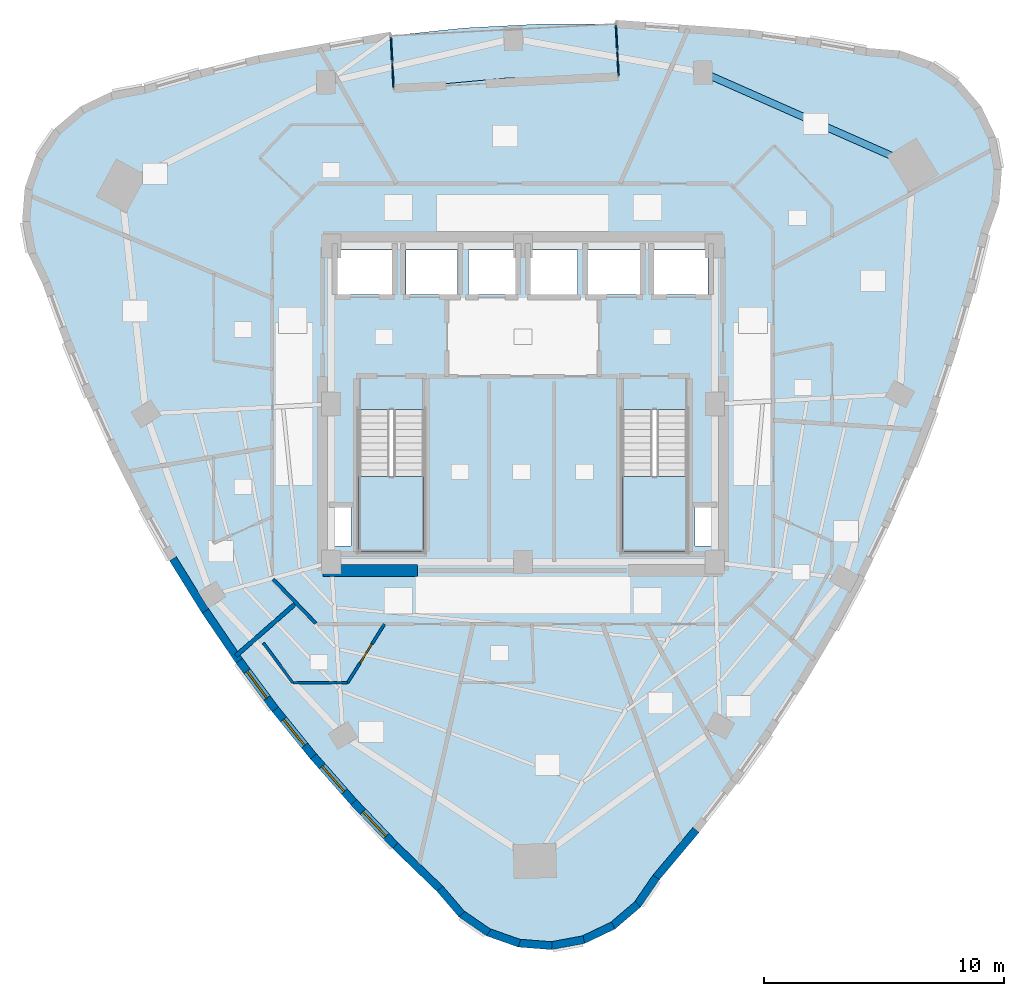
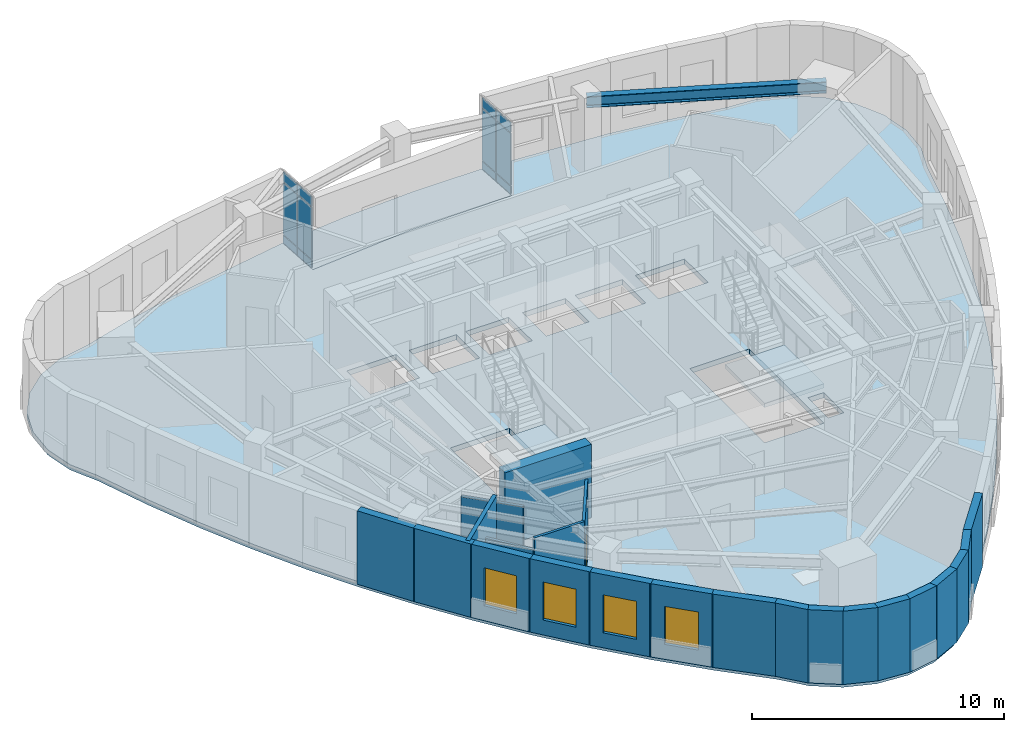
# One storey, part 4 of 11: 22 walls, 12 plates, 4 slabs, 4 windows, 1 beam, 1 door, 5 openings, 4 elements without a shape of their own.
"""IFC4 building model written with IfcOpenShell, lengths in metres."""

from ifc_helpers import new_model, si_unit, direction, frame, frame_2d, origin, origin_2d, place, context, subcontext, project, spatial, polyline, rectangle, i_section, outline, extrude, material, layer, layer_set, material_profile, profile_set, type_object, element, fill, aggregate, save


model = new_model("IFC4")

# Units and contexts
model_context = context("Model", 3, precision=1e-05, world=origin(), true_north=direction((0.0, 1.0)))
body_context = subcontext(model_context, "Body", "Model", "MODEL_VIEW")
ifc_project = project(units=[si_unit("LENGTHUNIT", "METRE"), si_unit("AREAUNIT", "SQUARE_METRE"), si_unit("VOLUMEUNIT", "CUBIC_METRE"), si_unit("PLANEANGLEUNIT", "RADIAN"), si_unit("MASSUNIT", "GRAM", prefix="KILO")], contexts=[model_context])

# Site, building, storey
site_placement = place(None, origin())
site = spatial("IfcSite", under=ifc_project, at=site_placement, CompositionType="ELEMENT")
building_placement = place(site_placement, origin())
building = spatial("IfcBuilding", under=site, at=building_placement, Name="Ndelora Gate Hotel", CompositionType="ELEMENT")
storey_placement = place(building_placement, frame((0.0, 0.0, 216.949951171875)))
storey = spatial("IfcBuildingStorey", under=building, at=storey_placement, Name="L54", CompositionType="ELEMENT", Elevation=216.949951171875)

# Beam
ifc_material_1 = material(Name="Steel S355", Category="steel")
ifc_material_profile = material_profile(ifc_material_1, i_section(OverallWidth=0.300048828125, OverallDepth=0.550048828125, WebThickness=0.014892578125, FlangeThickness=0.029052734375, FilletRadius=0.027099609375, at=origin_2d()), Name="HEB 550")
ifc_profile_set = profile_set([ifc_material_profile], Name="Steel S355")
beam_type = type_object("IfcBeamType", Name="BM-RING-550", PredefinedType="SPANDREL", material=ifc_profile_set)
beam_placement = place(storey_placement, frame((16.26025390625, 9.96435546875, 3.275146484375), z_axis=(-0.914807449647, 0.403890245078, 0.0), x_axis=(-0.403890245078, -0.914807449647, 0.0)))
element("IfcBeam", 1, at=beam_placement, inside=storey, type_object=beam_type, Name="L54 Perimeter Spandrel Girder 9", PredefinedType="SPANDREL", context=body_context, shape_type="SweptSolid", body=[
    extrude(i_section(OverallWidth=0.300048828125, OverallDepth=0.550048828125, WebThickness=0.014892578125, FlangeThickness=0.029052734375, FilletRadius=0.027099609375, at=origin_2d()), origin(), (0.0, 0.0, 1.0), 9.56689453125),
])

# Curtain wall, plates
ifc_material_2 = material(Name="Bronze Anodised Unitised Aluminium and Low-E Glass", Category="aluminium")
ifc_layer_1 = layer(ifc_material_2, 0.199951171875)
ifc_layer_set_1 = layer_set([ifc_layer_1], Name="Bronze Anodised Unitised Aluminium and Low-E Glass")
curtain_wall_type = type_object("IfcCurtainWallType", Name="CW-SYS-3", PredefinedType="NOTDEFINED", material=ifc_layer_set_1)
curtain_wall_1_placement = place(storey_placement, origin())
curtain_wall_1 = element("IfcCurtainWall", 2, at=curtain_wall_1_placement, inside=storey, type_object=curtain_wall_type, Name="L54 Sky-Garden Loggia Side Curtain Wall CW3-1", PredefinedType="NOTDEFINED")
ifc_material_3 = material(Name="Solar-Control Low-E Insulated Glazing", Category="glass")
ifc_layer_2 = layer(ifc_material_3, 0.048095703125)
ifc_layer_set_2 = layer_set([ifc_layer_2], Name="Solar-Control Low-E Insulated Glazing")
plate_type = type_object("IfcPlateType", Name="PL-CW-GLZ36", PredefinedType="CURTAIN_PANEL", material=ifc_layer_set_2)
plate_1_placement = place(storey_placement, frame((3.961181640625, 14.222900390625, 0.05908203125), z_axis=(0.0, 0.0, 1.0), x_axis=(-0.052317873695, 0.998630482257, 0.0)))
plate_1 = element("IfcPlate", 3, at=plate_1_placement, type_object=plate_type, Name="CW3 panel 1.1", PredefinedType="CURTAIN_PANEL", context=body_context, shape_type="SweptSolid", body=[
    extrude(rectangle(XDim=1.014404296875, YDim=0.048095703125, at=origin_2d()), origin(), (0.0, 0.0, 1.0), 0.364501953125),
])
plate_2_placement = place(storey_placement, frame((3.961181640625, 14.222900390625, 0.4765625), z_axis=(0.0, 0.0, 1.0), x_axis=(-0.052317873695, 0.998630482257, 0.0)))
plate_2 = element("IfcPlate", 4, at=plate_2_placement, type_object=plate_type, Name="CW3 panel 1.2", PredefinedType="CURTAIN_PANEL", context=body_context, shape_type="SweptSolid", body=[
    extrude(rectangle(XDim=1.014404296875, YDim=0.048095703125, at=origin_2d()), origin(), (0.0, 0.0, 1.0), 2.4970703125),
])
plate_3_placement = place(storey_placement, frame((3.961181640625, 14.222900390625, 3.0263671875), z_axis=(0.0, 0.0, 1.0), x_axis=(-0.052317873695, 0.998630482257, 0.0)))
plate_3 = element("IfcPlate", 5, at=plate_3_placement, type_object=plate_type, Name="CW3 panel 1.3", PredefinedType="CURTAIN_PANEL", context=body_context, shape_type="SweptSolid", body=[
    extrude(rectangle(XDim=1.014404296875, YDim=0.048095703125, at=origin_2d()), origin(), (0.0, 0.0, 1.0), 0.464599609375),
])
plate_4_placement = place(storey_placement, frame((3.9052734375, 15.2890625, 0.05908203125), z_axis=(0.0, 0.0, 1.0), x_axis=(-0.052317873695, 0.998630482257, 0.0)))
plate_4 = element("IfcPlate", 6, at=plate_4_placement, type_object=plate_type, Name="CW3 panel 2.1", PredefinedType="CURTAIN_PANEL", context=body_context, shape_type="SweptSolid", body=[
    extrude(rectangle(XDim=1.014404296875, YDim=0.048095703125, at=origin_2d()), origin(), (0.0, 0.0, 1.0), 0.364501953125),
])
plate_5_placement = place(storey_placement, frame((3.9052734375, 15.2890625, 0.4765625), z_axis=(0.0, 0.0, 1.0), x_axis=(-0.052317873695, 0.998630482257, 0.0)))
plate_5 = element("IfcPlate", 7, at=plate_5_placement, type_object=plate_type, Name="CW3 panel 2.2", PredefinedType="CURTAIN_PANEL", context=body_context, shape_type="SweptSolid", body=[
    extrude(rectangle(XDim=1.014404296875, YDim=0.048095703125, at=origin_2d()), origin(), (0.0, 0.0, 1.0), 2.4970703125),
])
plate_6_placement = place(storey_placement, frame((3.9052734375, 15.2890625, 3.0263671875), z_axis=(0.0, 0.0, 1.0), x_axis=(-0.052317873695, 0.998630482257, 0.0)))
plate_6 = element("IfcPlate", 8, at=plate_6_placement, type_object=plate_type, Name="CW3 panel 2.3", PredefinedType="CURTAIN_PANEL", context=body_context, shape_type="SweptSolid", body=[
    extrude(rectangle(XDim=1.014404296875, YDim=0.048095703125, at=origin_2d()), origin(), (0.0, 0.0, 1.0), 0.464599609375),
])
aggregate(curtain_wall_1, [plate_1, plate_2, plate_3, plate_4, plate_5, plate_6])

curtain_wall_2_placement = place(storey_placement, origin())
curtain_wall_2 = element("IfcCurtainWall", 9, at=curtain_wall_2_placement, inside=storey, type_object=curtain_wall_type, Name="L54 Sky-Garden Loggia Side Curtain Wall CW3-2", PredefinedType="NOTDEFINED")
plate_7_placement = place(storey_placement, frame((-5.48193359375, 14.797119140625, 0.05908203125), z_axis=(0.0, 0.0, 1.0), x_axis=(0.052363203389, -0.998628106419, 0.0)))
plate_7 = element("IfcPlate", 10, at=plate_7_placement, type_object=plate_type, Name="CW3 panel 1.1", PredefinedType="CURTAIN_PANEL", context=body_context, shape_type="SweptSolid", body=[
    extrude(rectangle(XDim=1.014404296875, YDim=0.048095703125, at=origin_2d()), origin(), (0.0, 0.0, 1.0), 0.364501953125),
])
plate_8_placement = place(storey_placement, frame((-5.48193359375, 14.797119140625, 0.4765625), z_axis=(0.0, 0.0, 1.0), x_axis=(0.052363203389, -0.998628106419, 0.0)))
plate_8 = element("IfcPlate", 11, at=plate_8_placement, type_object=plate_type, Name="CW3 panel 1.2", PredefinedType="CURTAIN_PANEL", context=body_context, shape_type="SweptSolid", body=[
    extrude(rectangle(XDim=1.014404296875, YDim=0.048095703125, at=origin_2d()), origin(), (0.0, 0.0, 1.0), 2.4970703125),
])
plate_9_placement = place(storey_placement, frame((-5.48193359375, 14.797119140625, 3.0263671875), z_axis=(0.0, 0.0, 1.0), x_axis=(0.052363203389, -0.998628106419, 0.0)))
plate_9 = element("IfcPlate", 12, at=plate_9_placement, type_object=plate_type, Name="CW3 panel 1.3", PredefinedType="CURTAIN_PANEL", context=body_context, shape_type="SweptSolid", body=[
    extrude(rectangle(XDim=1.014404296875, YDim=0.048095703125, at=origin_2d()), origin(), (0.0, 0.0, 1.0), 0.464599609375),
])
plate_10_placement = place(storey_placement, frame((-5.426025390625, 13.73095703125, 0.05908203125), z_axis=(0.0, 0.0, 1.0), x_axis=(0.052363203389, -0.998628106419, 0.0)))
plate_10 = element("IfcPlate", 13, at=plate_10_placement, type_object=plate_type, Name="CW3 panel 2.1", PredefinedType="CURTAIN_PANEL", context=body_context, shape_type="SweptSolid", body=[
    extrude(rectangle(XDim=1.014404296875, YDim=0.048095703125, at=origin_2d()), origin(), (0.0, 0.0, 1.0), 0.364501953125),
])
plate_11_placement = place(storey_placement, frame((-5.426025390625, 13.73095703125, 0.4765625), z_axis=(0.0, 0.0, 1.0), x_axis=(0.052363203389, -0.998628106419, 0.0)))
plate_11 = element("IfcPlate", 14, at=plate_11_placement, type_object=plate_type, Name="CW3 panel 2.2", PredefinedType="CURTAIN_PANEL", context=body_context, shape_type="SweptSolid", body=[
    extrude(rectangle(XDim=1.014404296875, YDim=0.048095703125, at=origin_2d()), origin(), (0.0, 0.0, 1.0), 2.4970703125),
])
plate_12_placement = place(storey_placement, frame((-5.426025390625, 13.73095703125, 3.0263671875), z_axis=(0.0, 0.0, 1.0), x_axis=(0.052363203389, -0.998628106419, 0.0)))
plate_12 = element("IfcPlate", 15, at=plate_12_placement, type_object=plate_type, Name="CW3 panel 2.3", PredefinedType="CURTAIN_PANEL", context=body_context, shape_type="SweptSolid", body=[
    extrude(rectangle(XDim=1.014404296875, YDim=0.048095703125, at=origin_2d()), origin(), (0.0, 0.0, 1.0), 0.464599609375),
])
aggregate(curtain_wall_2, [plate_7, plate_8, plate_9, plate_10, plate_11, plate_12])

# Stair, slab
ifc_material_4 = material(Name="Precast concrete C40/50", Category="concrete")
stair_type = type_object("IfcStairType", Name="STR-DOG-CORE", PredefinedType="HALF_TURN_STAIR", material=ifc_material_4)
stair_1_placement = place(storey_placement, origin())
stair_1 = element("IfcStair", 16, at=stair_1_placement, inside=storey, type_object=stair_type, Name="L54 Protected Core Exit Stair ST4", PredefinedType="HALF_TURN_STAIR")
ifc_layer_3 = layer(ifc_material_4, 0.219970703125)
ifc_layer_set_3 = layer_set([ifc_layer_3], Name="Precast concrete C40/50")
slab_type_1 = type_object("IfcSlabType", Name="SL-LAND-220", PredefinedType="LANDING", material=ifc_layer_set_3)
slab_1_placement = place(storey_placement, frame((0.0, 0.0, 1.699951171875)))
slab_1 = element("IfcSlab", 17, at=slab_1_placement, type_object=slab_type_1, Name="ST4 landing 1", PredefinedType="LANDING", context=body_context, shape_type="SweptSolid", body=[
    extrude(outline(polyline([(-6.85009765625, -3.030029296875), (-6.85009765625, -6.14990234375), (-4.1298828125, -6.14990234375), (-4.1298828125, -3.030029296875), (-6.85009765625, -3.030029296875)])), origin(), (0.0, 0.0, 1.0), 0.2001953125),
])
aggregate(stair_1, [slab_1])

stair_2_placement = place(storey_placement, origin())
stair_2 = element("IfcStair", 18, at=stair_2_placement, inside=storey, type_object=stair_type, Name="L54 Protected Core Exit Stair ST5", PredefinedType="HALF_TURN_STAIR")
slab_2_placement = place(storey_placement, frame((0.0, 0.0, 1.699951171875)))
slab_2 = element("IfcSlab", 19, at=slab_2_placement, type_object=slab_type_1, Name="ST5 landing 1", PredefinedType="LANDING", context=body_context, shape_type="SweptSolid", body=[
    extrude(outline(polyline([(4.1298828125, -3.030029296875), (4.1298828125, -6.14990234375), (6.85009765625, -6.14990234375), (6.85009765625, -3.030029296875), (4.1298828125, -3.030029296875)])), origin(), (0.0, 0.0, 1.0), 0.2001953125),
])
aggregate(stair_2, [slab_2])

# Slabs
ifc_layer_4 = layer(ifc_material_4, 0.239990234375)
ifc_layer_set_4 = layer_set([ifc_layer_4], Name="Precast concrete C40/50")
slab_type_2 = type_object("IfcSlabType", Name="SL-TER-240", PredefinedType="FLOOR", material=ifc_layer_set_4)
slab_3_placement = place(storey_placement, frame((0.0, 0.0, -0.239990234375)))
element("IfcSlab", 20, at=slab_3_placement, inside=storey, type_object=slab_type_2, Name="L54 Sky Garden Loggia Terrace Slab", PredefinedType="FLOOR", context=body_context, shape_type="SweptSolid", body=[
    extrude(outline(polyline([(3.99072265625, 13.657470703125), (3.87548828125, 15.8544921875), (0.769287109375, 15.854736328125), (-2.42236328125, 15.6875), (-5.51171875, 15.362548828125), (-5.396484375, 13.16552734375), (-0.71240234375, 13.595458984375), (3.99072265625, 13.657470703125)])), origin(), (0.0, 0.0, 1.0), 0.239990234375),
])
ifc_material_5 = material(Name="Concrete C40/50", Category="concrete")
ifc_layer_5 = layer(ifc_material_5, 0.25)
ifc_layer_set_5 = layer_set([ifc_layer_5], Name="Concrete C40/50")
slab_type_3 = type_object("IfcSlabType", Name="SL-TWR-250", PredefinedType="FLOOR", material=ifc_layer_set_5)
slab_4_placement = place(storey_placement, frame((0.0, 0.0, -0.25)))
element("IfcSlab", 21, at=slab_4_placement, inside=storey, type_object=slab_type_3, Name="L54 Structural Floor Slab", PredefinedType="FLOOR", context=body_context, shape_type="SweptSolid", body=[
    extrude(outline(polyline([(-15.80078125, 13.10498046875), (-17.135498046875, 12.85791015625), (-18.36083984375, 12.2734375), (-19.39306640625, 11.391845703125), (-20.161865234375, 10.27294921875), (-20.614990234375, 8.993408203125), (-20.7216796875, 7.64013671875), (-20.47412109375, 6.305419921875), (-19.889892578125, 5.080078125), (-19.006591796875, 2.654296875), (-18.034912109375, 0.285888671875), (-16.974609375, -2.025146484375), (-15.825927734375, -4.278564453125), (-14.588623046875, -6.474609375), (-13.262939453125, -8.613037109375), (-11.848388671875, -10.694091796875), (-10.345703125, -12.717529296875), (-8.75439453125, -14.68359375), (-7.074462890625, -16.592041015625), (-5.305908203125, -18.443115234375), (-3.448974609375, -20.236572265625), (-2.5673828125, -21.268798828125), (-1.448486328125, -22.03759765625), (-0.1689453125, -22.49072265625), (1.184326171875, -22.597412109375), (2.51904296875, -22.349853515625), (3.744140625, -21.765380859375), (4.776611328125, -20.8837890625), (5.54541015625, -19.76513671875), (7.20458984375, -17.787353515625), (8.77001953125, -15.76171875), (10.2412109375, -13.68798828125), (11.618408203125, -11.56640625), (12.9013671875, -9.39697265625), (14.090576171875, -7.179443359375), (15.185546875, -4.9140625), (16.1865234375, -2.600830078125), (17.093505859375, -0.23974609375), (17.90625, 2.16943359375), (18.625, 4.62646484375), (19.249755859375, 7.13134765625), (19.702880859375, 8.410888671875), (19.8095703125, 9.764404296875), (19.56201171875, 11.09912109375), (18.977783203125, 12.32421875), (18.09619140625, 13.3564453125), (16.977294921875, 14.12548828125), (15.69775390625, 14.57861328125), (14.344482421875, 14.68505859375), (11.903564453125, 15.1171875), (9.4677734375, 15.452392578125), (3.87548828125, 15.8544921875), (3.99072265625, 13.657470703125), (-0.71240234375, 13.595458984375), (-5.396484375, 13.16552734375), (-5.51171875, 15.362548828125), (-11.031005859375, 14.3779296875), (-13.41845703125, 13.7900390625), (-15.80078125, 13.10498046875)]), holes=[polyline([(-6.85009765625, -0.22998046875), (-6.85009765625, -6.14990234375), (-4.1298828125, -6.14990234375), (-4.1298828125, -0.22998046875), (-6.85009765625, -0.22998046875)]), polyline([(4.1298828125, -0.22998046875), (4.1298828125, -6.14990234375), (6.85009765625, -6.14990234375), (6.85009765625, -0.22998046875), (4.1298828125, -0.22998046875)]), polyline([(-7.72998046875, 4.570068359375), (-5.469970703125, 4.570068359375), (-5.469970703125, 6.429931640625), (-7.72998046875, 6.429931640625), (-7.72998046875, 4.570068359375)]), polyline([(5.469970703125, 4.570068359375), (7.72998046875, 4.570068359375), (7.72998046875, 6.429931640625), (5.469970703125, 6.429931640625), (5.469970703125, 4.570068359375)]), polyline([(-4.8798828125, 4.570068359375), (-2.719970703125, 4.570068359375), (-2.719970703125, 6.429931640625), (-4.8798828125, 6.429931640625), (-4.8798828125, 4.570068359375)]), polyline([(2.719970703125, 4.570068359375), (4.8798828125, 4.570068359375), (4.8798828125, 6.429931640625), (2.719970703125, 6.429931640625), (2.719970703125, 4.570068359375)]), polyline([(-2.280029296875, 4.570068359375), (-0.320068359375, 4.570068359375), (-0.320068359375, 6.429931640625), (-2.280029296875, 6.429931640625), (-2.280029296875, 4.570068359375)]), polyline([(0.320068359375, 4.570068359375), (2.280029296875, 4.570068359375), (2.280029296875, 6.429931640625), (0.320068359375, 6.429931640625), (0.320068359375, 4.570068359375)]), polyline([(-7.89990234375, -5.919921875), (-7.179931640625, -5.919921875), (-7.179931640625, -4.320068359375), (-7.89990234375, -4.320068359375), (-7.89990234375, -5.919921875)]), polyline([(7.179931640625, -5.919921875), (7.89990234375, -5.919921875), (7.89990234375, -4.320068359375), (7.179931640625, -4.320068359375), (7.179931640625, -5.919921875)])]), origin(), (0.0, 0.0, 1.0), 0.25),
])

# Walls
ifc_material_6 = material(Name="Acoustic Double-Stud Gypsum Assembly", Category="gypsum")
ifc_layer_6 = layer(ifc_material_6, 0.179931640625)
ifc_layer_set_6 = layer_set([ifc_layer_6], Name="Acoustic Double-Stud Gypsum Assembly")
wall_type_1 = type_object("IfcWallType", Name="WL-ACOUST-180", PredefinedType="PARTITIONING", material=ifc_layer_set_6)
wall_1_placement = place(storey_placement, frame((-9.464111328125, -8.3037109375, 0.0), z_axis=(0.0, 0.0, 1.0), x_axis=(-0.751711445712, -0.659492154909, 0.0)))
element("IfcWall", 22, at=wall_1_placement, inside=storey, type_object=wall_type_1, Name="L54 Interior Wall IW-3", PredefinedType="PARTITIONING", context=body_context, shape_type="SweptSolid", body=[
    extrude(rectangle(XDim=3.341064453125, YDim=0.179931640625, at=frame_2d((1.67041015625, 0.0))), origin(), (0.0, 0.0, 1.0), 3.550048828125),
])
ifc_material_7 = material(Name="Clay Brick Masonry", Category="masonry")
ifc_layer_7 = layer(ifc_material_7, 0.330078125)
ifc_layer_set_7 = layer_set([ifc_layer_7], Name="Clay Brick Masonry")
wall_type_2 = type_object("IfcWallType", Name="WL-BRICK-330", PredefinedType="SOLIDWALL", material=ifc_layer_set_7)
wall_2_placement = place(storey_placement, frame((-13.249755859375, -8.63427734375, 0.0), z_axis=(0.0, 0.0, 1.0), x_axis=(-0.526908054593, 0.849922291745, 0.0)))
element("IfcWall", 23, at=wall_2_placement, inside=storey, type_object=wall_type_2, Name="L54 Tower Brick Pier-and-Spandrel Wall TWR-14", PredefinedType="SOLIDWALL", context=body_context, shape_type="SweptSolid", body=[
    extrude(rectangle(XDim=2.56591796875, YDim=0.330078125, at=frame_2d((1.282958984375, 0.0))), origin(), (0.0, 0.0, 1.0), 3.550048828125),
])
wall_3_placement = place(storey_placement, frame((-11.83447265625, -10.714599609375, 0.0), z_axis=(0.0, 0.0, 1.0), x_axis=(-0.562164288669, 0.827025581554, 0.0)))
element("IfcWall", 24, at=wall_3_placement, inside=storey, type_object=wall_type_2, Name="L54 Tower Brick Pier-and-Spandrel Wall TWR-15", PredefinedType="SOLIDWALL", context=body_context, shape_type="SweptSolid", body=[
    extrude(rectangle(XDim=2.566162109375, YDim=0.330078125, at=frame_2d((1.283203125, 0.0))), origin(), (0.0, 0.0, 1.0), 3.550048828125),
])

# Wall, opening, window
wall_4_placement = place(storey_placement, frame((-10.330810546875, -12.737548828125, 0.0), z_axis=(0.0, 0.0, 1.0), x_axis=(-0.596178851143, 0.802851653451, 0.0)))
wall_4 = element("IfcWall", 25, at=wall_4_placement, inside=storey, type_object=wall_type_2, Name="L54 Tower Brick Pier-and-Spandrel Wall TWR-16", PredefinedType="SOLIDWALL", context=body_context, shape_type="SweptSolid", body=[
    extrude(rectangle(XDim=2.570556640625, YDim=0.330078125, at=frame_2d((1.28515625, 0.0))), origin(), (0.0, 0.0, 1.0), 3.550048828125),
])
opening_1_placement = place(wall_4_placement, frame((0.585205078125, 0.0, 0.719970703125)))
opening_1 = element("IfcOpeningElement", 26, at=opening_1_placement, cuts=wall_4, Name="Opening W02", PredefinedType="OPENING", context=body_context, shape_type="SweptSolid", body=[
    extrude(rectangle(XDim=1.39990234375, YDim=1.840087890625, at=frame_2d((0.699951171875, 0.919921875))), frame((0.0, 0.175048828125, 0.0), z_axis=(0.0, -1.0, 0.0), x_axis=(1.0, 0.0, 0.0)), (0.0, 0.0, 1.0), 0.35009765625),
])
ifc_material_8 = material(Name="Insulated Low-E Double Glazing in Bronze Aluminium Frame", Category="aluminium")
window_type = type_object("IfcWindowType", Name="WN-DEEP-1400", PartitioningType="SINGLE_PANEL", PredefinedType="WINDOW", material=ifc_material_8)
window_1_placement = place(opening_1_placement, origin())
window_1 = element("IfcWindow", 27, at=window_1_placement, inside=storey, type_object=window_type, Name="L54 Deep-Set Brick-Pier Window W02", OverallHeight=1.840087890625, OverallWidth=1.39990234375, PartitioningType="SINGLE_PANEL", PredefinedType="WINDOW", context=body_context, shape_type="SweptSolid", body=[
    extrude(rectangle(XDim=1.39990234375, YDim=1.840087890625, at=frame_2d((0.699951171875, 0.919921875))), frame((0.0, 0.030029296875, 0.0), z_axis=(0.0, -1.0, 0.0), x_axis=(1.0, 0.0, 0.0)), (0.0, 0.0, 1.0), 0.06005859375),
])
fill(opening_1, window_1)

wall_5_placement = place(storey_placement, frame((-8.738525390625, -14.702880859375, 0.0), z_axis=(0.0, 0.0, 1.0), x_axis=(-0.629151938827, 0.777282341154, 0.0)))
wall_5 = element("IfcWall", 28, at=wall_5_placement, inside=storey, type_object=wall_type_2, Name="L54 Tower Brick Pier-and-Spandrel Wall TWR-17", PredefinedType="SOLIDWALL", context=body_context, shape_type="SweptSolid", body=[
    extrude(rectangle(XDim=2.579345703125, YDim=0.330078125, at=frame_2d((1.28955078125, 0.0))), origin(), (0.0, 0.0, 1.0), 3.550048828125),
])
opening_2_placement = place(wall_5_placement, frame((0.589599609375, 0.0, 0.719970703125)))
opening_2 = element("IfcOpeningElement", 29, at=opening_2_placement, cuts=wall_5, Name="Opening W02", PredefinedType="OPENING", context=body_context, shape_type="SweptSolid", body=[
    extrude(rectangle(XDim=1.39990234375, YDim=1.840087890625, at=frame_2d((0.699951171875, 0.919921875))), frame((0.0, 0.175048828125, 0.0), z_axis=(0.0, -1.0, 0.0), x_axis=(1.0, 0.0, 0.0)), (0.0, 0.0, 1.0), 0.35009765625),
])
window_2_placement = place(opening_2_placement, origin())
window_2 = element("IfcWindow", 30, at=window_2_placement, inside=storey, type_object=window_type, Name="L54 Deep-Set Brick-Pier Window W02", OverallHeight=1.840087890625, OverallWidth=1.39990234375, PartitioningType="SINGLE_PANEL", PredefinedType="WINDOW", context=body_context, shape_type="SweptSolid", body=[
    extrude(rectangle(XDim=1.39990234375, YDim=1.840087890625, at=frame_2d((0.699951171875, 0.919921875))), frame((0.0, 0.030029296875, 0.0), z_axis=(0.0, -1.0, 0.0), x_axis=(1.0, 0.0, 0.0)), (0.0, 0.0, 1.0), 0.06005859375),
])
fill(opening_2, window_2)

wall_6_placement = place(storey_placement, frame((-7.057861328125, -16.61083984375, 0.0), z_axis=(0.0, 0.0, 1.0), x_axis=(-0.660708561144, 0.75064252293, 0.0)))
wall_6 = element("IfcWall", 31, at=wall_6_placement, inside=storey, type_object=wall_type_2, Name="L54 Tower Brick Pier-and-Spandrel Wall TWR-18", PredefinedType="SOLIDWALL", context=body_context, shape_type="SweptSolid", body=[
    extrude(rectangle(XDim=2.592529296875, YDim=0.330078125, at=frame_2d((1.29638671875, 0.0))), origin(), (0.0, 0.0, 1.0), 3.550048828125),
])
opening_3_placement = place(wall_6_placement, frame((0.59619140625, 0.0, 0.719970703125)))
opening_3 = element("IfcOpeningElement", 32, at=opening_3_placement, cuts=wall_6, Name="Opening W02", PredefinedType="OPENING", context=body_context, shape_type="SweptSolid", body=[
    extrude(rectangle(XDim=1.39990234375, YDim=1.840087890625, at=frame_2d((0.699951171875, 0.919921875))), frame((0.0, 0.175048828125, 0.0), z_axis=(0.0, -1.0, 0.0), x_axis=(1.0, 0.0, 0.0)), (0.0, 0.0, 1.0), 0.35009765625),
])
window_3_placement = place(opening_3_placement, origin())
window_3 = element("IfcWindow", 33, at=window_3_placement, inside=storey, type_object=window_type, Name="L54 Deep-Set Brick-Pier Window W02", OverallHeight=1.840087890625, OverallWidth=1.39990234375, PartitioningType="SINGLE_PANEL", PredefinedType="WINDOW", context=body_context, shape_type="SweptSolid", body=[
    extrude(rectangle(XDim=1.39990234375, YDim=1.840087890625, at=frame_2d((0.699951171875, 0.919921875))), frame((0.0, 0.030029296875, 0.0), z_axis=(0.0, -1.0, 0.0), x_axis=(1.0, 0.0, 0.0)), (0.0, 0.0, 1.0), 0.06005859375),
])
fill(opening_3, window_3)

wall_7_placement = place(storey_placement, frame((-5.28857421875, -18.461181640625, 0.0), z_axis=(0.0, 0.0, 1.0), x_axis=(-0.690836041792, 0.723011454516, 0.0)))
wall_7 = element("IfcWall", 34, at=wall_7_placement, inside=storey, type_object=wall_type_2, Name="L54 Tower Brick Pier-and-Spandrel Wall TWR-19", PredefinedType="SOLIDWALL", context=body_context, shape_type="SweptSolid", body=[
    extrude(rectangle(XDim=2.610107421875, YDim=0.330078125, at=frame_2d((1.30517578125, 0.0))), origin(), (0.0, 0.0, 1.0), 3.550048828125),
])
opening_4_placement = place(wall_7_placement, frame((0.60498046875, 0.0, 0.719970703125)))
opening_4 = element("IfcOpeningElement", 35, at=opening_4_placement, cuts=wall_7, Name="Opening W02", PredefinedType="OPENING", context=body_context, shape_type="SweptSolid", body=[
    extrude(rectangle(XDim=1.39990234375, YDim=1.840087890625, at=frame_2d((0.699951171875, 0.919921875))), frame((0.0, 0.175048828125, 0.0), z_axis=(0.0, -1.0, 0.0), x_axis=(1.0, 0.0, 0.0)), (0.0, 0.0, 1.0), 0.35009765625),
])
window_4_placement = place(opening_4_placement, origin())
window_4 = element("IfcWindow", 36, at=window_4_placement, inside=storey, type_object=window_type, Name="L54 Deep-Set Brick-Pier Window W02", OverallHeight=1.840087890625, OverallWidth=1.39990234375, PartitioningType="SINGLE_PANEL", PredefinedType="WINDOW", context=body_context, shape_type="SweptSolid", body=[
    extrude(rectangle(XDim=1.39990234375, YDim=1.840087890625, at=frame_2d((0.699951171875, 0.919921875))), frame((0.0, 0.030029296875, 0.0), z_axis=(0.0, -1.0, 0.0), x_axis=(1.0, 0.0, 0.0)), (0.0, 0.0, 1.0), 0.06005859375),
])
fill(opening_4, window_4)

# Walls
wall_8_placement = place(storey_placement, frame((-3.430908203125, -20.25390625, 0.0), z_axis=(0.0, 0.0, 1.0), x_axis=(-0.719291162425, 0.694708732964, 0.0)))
element("IfcWall", 37, at=wall_8_placement, inside=storey, type_object=wall_type_2, Name="L54 Tower Brick Pier-and-Spandrel Wall TWR-20", PredefinedType="SOLIDWALL", context=body_context, shape_type="SweptSolid", body=[
    extrude(rectangle(XDim=2.6318359375, YDim=0.330078125, at=frame_2d((1.31591796875, 0.0))), origin(), (0.0, 0.0, 1.0), 3.550048828125),
])
for number, where, z_axis, x_axis, name in (
    (38, (-2.55126953125, -21.287841796875, 0.0), (0.0, 0.0, 1.0), (-0.649318671118, 0.760516445146, 0.0), "L54 Tower Brick Pier-and-Spandrel Wall TWR-21"),
    (39, (-1.427978515625, -22.0517578125, 0.0), (0.0, 0.0, 1.0), (-0.824148199331, 0.566374209812, 0.0), "L54 Tower Brick Pier-and-Spandrel Wall TWR-22"),
    (40, (-0.1455078125, -22.4990234375, 0.0), (0.0, 0.0, 1.0), (-0.942656791627, 0.33376364871, 0.0), "L54 Tower Brick Pier-and-Spandrel Wall TWR-23"),
    (41, (1.209228515625, -22.599365234375, 0.0), (0.0, 0.0, 1.0), (-0.996907811278, 0.07857999626, 0.0), "L54 Tower Brick Pier-and-Spandrel Wall TWR-24"),
):
    element("IfcWall", number, at=place(storey_placement, frame(where, z_axis=z_axis, x_axis=x_axis)), inside=storey, type_object=wall_type_2, Name=name, PredefinedType="SOLIDWALL", context=body_context, shape_type="SweptSolid", body=[
        extrude(rectangle(XDim=1.407470703125, YDim=0.330078125, at=frame_2d((0.70361328125, 0.0))), origin(), (0.0, 0.0, 1.0), 3.550048828125),
    ])
for number, where, z_axis, x_axis, name in (
    (42, (2.543701171875, -22.34521484375, 0.0), (0.0, 0.0, 1.0), (-0.983245180137, -0.182288002174, 0.0), "L54 Tower Brick Pier-and-Spandrel Wall TWR-25"),
    (43, (3.766845703125, -21.754638671875, 0.0), (0.0, 0.0, 1.0), (-0.902597460438, -0.43048556818, 0.0), "L54 Tower Brick Pier-and-Spandrel Wall TWR-26"),
):
    element("IfcWall", number, at=place(storey_placement, frame(where, z_axis=z_axis, x_axis=x_axis)), inside=storey, type_object=wall_type_2, Name=name, PredefinedType="SOLIDWALL", context=body_context, shape_type="SweptSolid", body=[
        extrude(rectangle(XDim=1.40771484375, YDim=0.330078125, at=frame_2d((0.703857421875, 0.0))), origin(), (0.0, 0.0, 1.0), 3.550048828125),
    ])
wall_9_placement = place(storey_placement, frame((4.79541015625, -20.86767578125, 0.0), z_axis=(0.0, 0.0, 1.0), x_axis=(-0.760430782952, -0.64941898982, 0.0)))
element("IfcWall", 44, at=wall_9_placement, inside=storey, type_object=wall_type_2, Name="L54 Tower Brick Pier-and-Spandrel Wall TWR-27", PredefinedType="SOLIDWALL", context=body_context, shape_type="SweptSolid", body=[
    extrude(rectangle(XDim=1.407470703125, YDim=0.330078125, at=frame_2d((0.70361328125, 0.0))), origin(), (0.0, 0.0, 1.0), 3.550048828125),
])
wall_10_placement = place(storey_placement, frame((5.5595703125, -19.744384765625, 0.0), z_axis=(0.0, 0.0, 1.0), x_axis=(-0.566411052666, -0.824122878834, 0.0)))
element("IfcWall", 45, at=wall_10_placement, inside=storey, type_object=wall_type_2, Name="L54 Tower Brick Pier-and-Spandrel Wall TWR-28", PredefinedType="SOLIDWALL", context=body_context, shape_type="SweptSolid", body=[
    extrude(rectangle(XDim=1.40771484375, YDim=0.330078125, at=frame_2d((0.703857421875, 0.0))), origin(), (0.0, 0.0, 1.0), 3.550048828125),
])
wall_11_placement = place(storey_placement, frame((7.220703125, -17.76806640625, 0.0), z_axis=(0.0, 0.0, 1.0), x_axis=(-0.642717664635, -0.766103128545, 0.0)))
element("IfcWall", 46, at=wall_11_placement, inside=storey, type_object=wall_type_2, Name="L54 Tower Brick Pier-and-Spandrel Wall TWR-29", PredefinedType="SOLIDWALL", context=body_context, shape_type="SweptSolid", body=[
    extrude(rectangle(XDim=2.631591796875, YDim=0.330078125, at=frame_2d((1.31591796875, 0.0))), origin(), (0.0, 0.0, 1.0), 3.550048828125),
])
ifc_material_9 = material(Name="Concrete C50/60", Category="concrete")
ifc_layer_8 = layer(ifc_material_9, 0.5)
ifc_layer_set_8 = layer_set([ifc_layer_8], Name="Concrete C50/60")
wall_type_3 = type_object("IfcWallType", Name="WL-CORE-500", PredefinedType="SHEAR", material=ifc_layer_set_8)
wall_12_placement = place(storey_placement, frame((-8.35009765625, -6.949951171875, 0.0), z_axis=(0.0, 0.0, 1.0), x_axis=(1.0, 0.0, 0.0)))
element("IfcWall", 47, at=wall_12_placement, inside=storey, type_object=wall_type_3, Name="L54 Core Shear Wall S-W", PredefinedType="SHEAR", context=body_context, shape_type="SweptSolid", body=[
    extrude(rectangle(XDim=3.9501953125, YDim=0.5, at=frame_2d((1.97509765625, 0.0))), origin(), (0.0, 0.0, 1.0), 3.550048828125),
])
ifc_material_10 = material(Name="Fire-Rated Gypsum Stud Partition", Category="gypsum")
ifc_layer_9 = layer(ifc_material_10, 0.14990234375)
ifc_layer_set_9 = layer_set([ifc_layer_9], Name="Fire-Rated Gypsum Stud Partition")
wall_type_4 = type_object("IfcWallType", Name="WL-PART-150", PredefinedType="PARTITIONING", material=ifc_layer_set_9)
wall_13_placement = place(storey_placement, frame((-8.647705078125, -9.151123046875, 0.0), z_axis=(0.0, 0.0, 1.0), x_axis=(-0.693764562202, 0.720201869085, 0.0)))
element("IfcWall", 48, at=wall_13_placement, inside=storey, type_object=wall_type_4, Name="L54 Interior Wall IW-5", PredefinedType="PARTITIONING", context=body_context, shape_type="SweptSolid", body=[
    extrude(rectangle(XDim=2.55810546875, YDim=0.14990234375, at=frame_2d((1.279052734375, 0.0))), origin(), (0.0, 0.0, 1.0), 3.22998046875),
])

# Wall, opening, door
ifc_material_11 = material(Name="Moisture-Resistant Bathroom Tile Partition", Category="gypsum")
ifc_layer_10 = layer(ifc_material_11, 0.1201171875)
ifc_layer_set_10 = layer_set([ifc_layer_10], Name="Moisture-Resistant Bathroom Tile Partition")
wall_type_5 = type_object("IfcWallType", Name="WL-WET-120", PredefinedType="PARTITIONING", material=ifc_layer_set_10)
wall_14_placement = place(storey_placement, frame((-5.77490234375, -9.179931640625, 0.0), z_axis=(0.0, 0.0, 1.0), x_axis=(-0.532491083383, -0.846435612506, 0.0)))
wall_14 = element("IfcWall", 49, at=wall_14_placement, inside=storey, type_object=wall_type_5, Name="L54 Interior Wall IW-7", PredefinedType="PARTITIONING", context=body_context, shape_type="SweptSolid", body=[
    extrude(rectangle(XDim=2.89453125, YDim=0.1201171875, at=frame_2d((1.447265625, 0.0))), origin(), (0.0, 0.0, 1.0), 3.550048828125),
])
opening_5_placement = place(wall_14_placement, frame((0.9873046875, 0.0, 0.0)))
opening_5 = element("IfcOpeningElement", 50, at=opening_5_placement, cuts=wall_14, Name="Opening D03", PredefinedType="OPENING", context=body_context, shape_type="SweptSolid", body=[
    extrude(rectangle(XDim=0.919921875, YDim=2.10009765625, at=frame_2d((0.4599609375, 1.050048828125))), frame((0.0, 0.070068359375, 0.0), z_axis=(0.0, -1.0, 0.0), x_axis=(1.0, 0.0, 0.0)), (0.0, 0.0, 1.0), 0.14013671875),
])
ifc_material_12 = material(Name="Moisture-Resistant Hardwood En-Suite Door", Category="wood")
door_type = type_object("IfcDoorType", Name="DR-BATH-920", OperationType="SINGLE_SWING_LEFT", PredefinedType="DOOR", material=ifc_material_12)
door_placement = place(opening_5_placement, origin())
door = element("IfcDoor", 51, at=door_placement, inside=storey, type_object=door_type, Name="L54 En-suite Bathroom 5707 Door", OperationType="SINGLE_SWING_RIGHT", OverallHeight=2.10009765625, OverallWidth=0.919921875, PredefinedType="DOOR", context=body_context, shape_type="SweptSolid", body=[
    extrude(rectangle(XDim=0.919921875, YDim=2.10009765625, at=frame_2d((0.4599609375, 1.050048828125))), frame((0.0, 0.02490234375, 0.0), z_axis=(0.0, -1.0, 0.0), x_axis=(1.0, 0.0, 0.0)), (0.0, 0.0, 1.0), 0.050048828125),
])
fill(opening_5, door)

# Walls
wall_15_placement = place(storey_placement, frame((-7.316162109375, -11.6298828125, 0.0), z_axis=(0.0, 0.0, 1.0), x_axis=(-1.0, 0.0, 0.0)))
element("IfcWall", 52, at=wall_15_placement, inside=storey, type_object=wall_type_5, Name="L54 Interior Wall IW-7", PredefinedType="PARTITIONING", context=body_context, shape_type="SweptSolid", body=[
    extrude(rectangle(XDim=2.280029296875, YDim=0.1201171875, at=frame_2d((1.14013671875, 0.0))), origin(), (0.0, 0.0, 1.0), 3.550048828125),
])
wall_16_placement = place(storey_placement, frame((-10.829345703125, -9.9697265625, 0.0), z_axis=(0.0, 0.0, 1.0), x_axis=(0.596291397786, -0.802768066708, 0.0)))
element("IfcWall", 53, at=wall_16_placement, inside=storey, type_object=wall_type_5, Name="L54 Interior Wall IW-7", PredefinedType="PARTITIONING", context=body_context, shape_type="SweptSolid", body=[
    extrude(rectangle(XDim=2.068115234375, YDim=0.1201171875, at=frame_2d((1.0341796875, 0.0))), origin(), (0.0, 0.0, 1.0), 2.97998046875),
])

save(model, "model.ifc")
